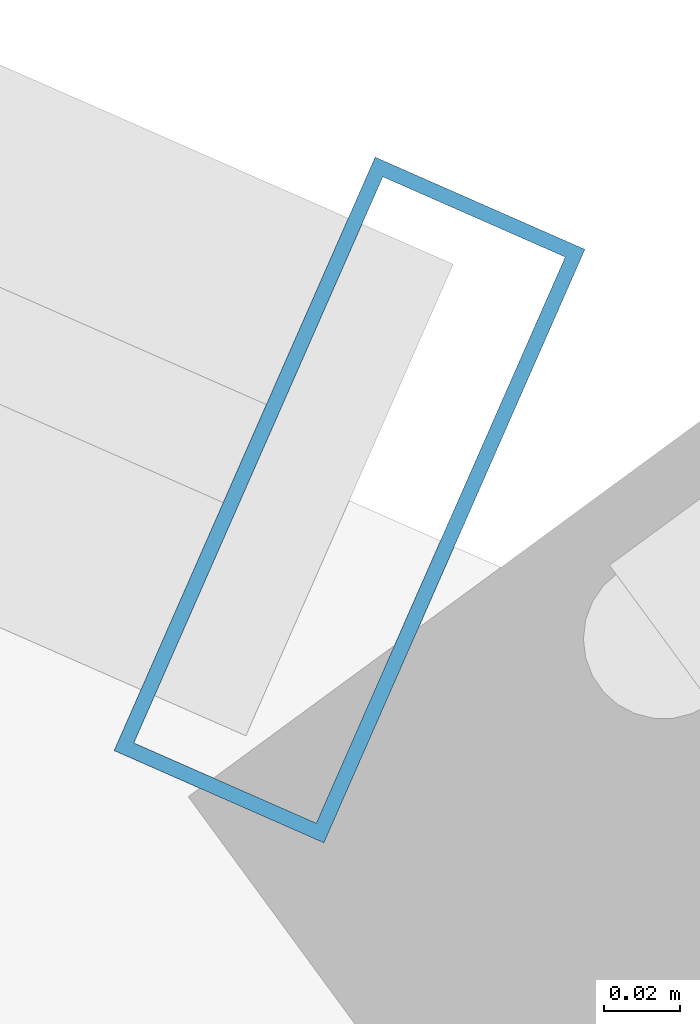
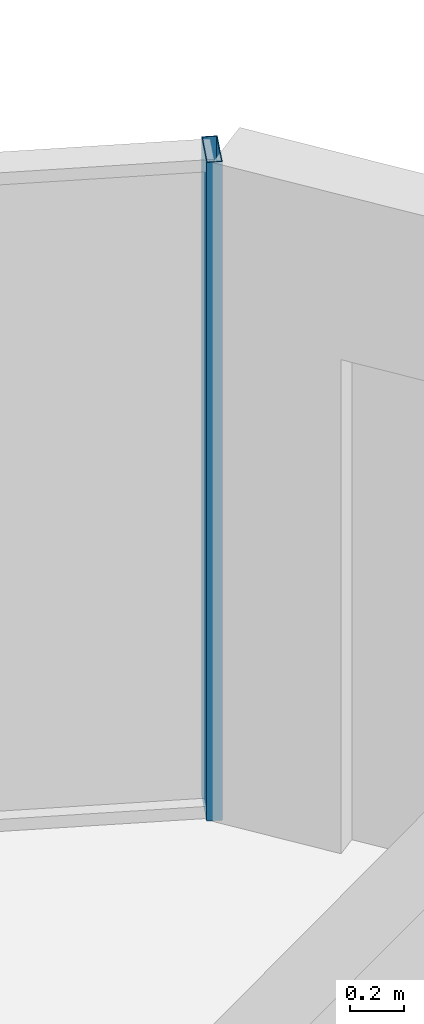
# One storey, part 27 of 34: 1 member, 1 element without a shape of its own.
"""IFC4 building model written with IfcOpenShell, lengths in metres."""

from ifc_helpers import new_model, si_unit, direction, frame, origin, origin_2d, place, context, subcontext, project, spatial, hollow_rectangle, extrude, source, transform, mapped, material, layer, layer_set, material_profile, profile_set, type_object, element, aggregate, save


model = new_model("IFC4")

# Units and contexts
model_context = context("Model", 3, precision=1e-05, world=origin(), true_north=direction((0.0, 1.0)))
body_context = subcontext(model_context, "Body", "Model", "MODEL_VIEW")
ifc_project = project(units=[si_unit("LENGTHUNIT", "METRE"), si_unit("AREAUNIT", "SQUARE_METRE"), si_unit("VOLUMEUNIT", "CUBIC_METRE"), si_unit("PLANEANGLEUNIT", "RADIAN"), si_unit("MASSUNIT", "GRAM", prefix="KILO")], contexts=[model_context])

# Site, building, storey
site_placement = place(None, origin())
site = spatial("IfcSite", under=ifc_project, at=site_placement, CompositionType="ELEMENT")
building_placement = place(site_placement, origin())
building = spatial("IfcBuilding", under=site, at=building_placement, Name="Veraguas Prism Commons", CompositionType="ELEMENT")
storey_placement = place(building_placement, frame((0.0, 0.0, 149.0)))
storey = spatial("IfcBuildingStorey", under=building, at=storey_placement, Name="L42", CompositionType="ELEMENT", Elevation=149.0)

# Curtain wall, member
ifc_material = material(Name="Anodised aluminium EN AW-6063 T6", Category="aluminium")
ifc_layer = layer(ifc_material, 0.169921875, Name="Unitised Flush Curtain Wall Zone 2", Category="aluminium")
ifc_layer_set = layer_set([ifc_layer], Name="Anodised aluminium EN AW-6063 T6")
curtain_wall_type = type_object("IfcCurtainWallType", Name="Unitised Flush Curtain Wall Zone 2", PredefinedType="NOTDEFINED", material=ifc_layer_set)
curtain_wall_placement = place(storey_placement, origin())
curtain_wall = element("IfcCurtainWall", 1, at=curtain_wall_placement, inside=storey, type_object=curtain_wall_type, Name="Tower Facade Curtain Wall L42-F1", PredefinedType="NOTDEFINED")
ifc_material_profile = material_profile(ifc_material, hollow_rectangle(XDim=0.06005859375, YDim=0.169921875, WallThickness=0.00390625, at=origin_2d()), Name="AL60X170X4")
ifc_profile_set = profile_set([ifc_material_profile], Name="Anodised aluminium EN AW-6063 T6")
member_type = type_object("IfcMemberType", Name="Curtain Wall Mullion Lower AL 60x170x4", PredefinedType="MULLION", material=ifc_profile_set)
shared_shape = source(origin(), body_context, "Body", "SweptSolid", [
    extrude(hollow_rectangle(XDim=0.06005859375, YDim=0.169921875, WallThickness=0.00390625, at=origin_2d()), origin(), (0.0, 0.0, 1.0), 3.0),
])
member_placement = place(storey_placement, frame((39.583251953125, 38.102294921875, 0.0), z_axis=(0.0, 0.0, 1.0), x_axis=(-0.915385270935, 0.402578943507, 0.0)))
member = element("IfcMember", 2, at=member_placement, type_object=member_type, Name="CW-Z2 Mullion 1", PredefinedType="MULLION", context=body_context, shape_type="MappedRepresentation", body=[
    mapped(shared_shape, transform((0.0, 0.0, 0.0), scale=1.0)),
])
aggregate(curtain_wall, [member])

save(model, "model.ifc")
